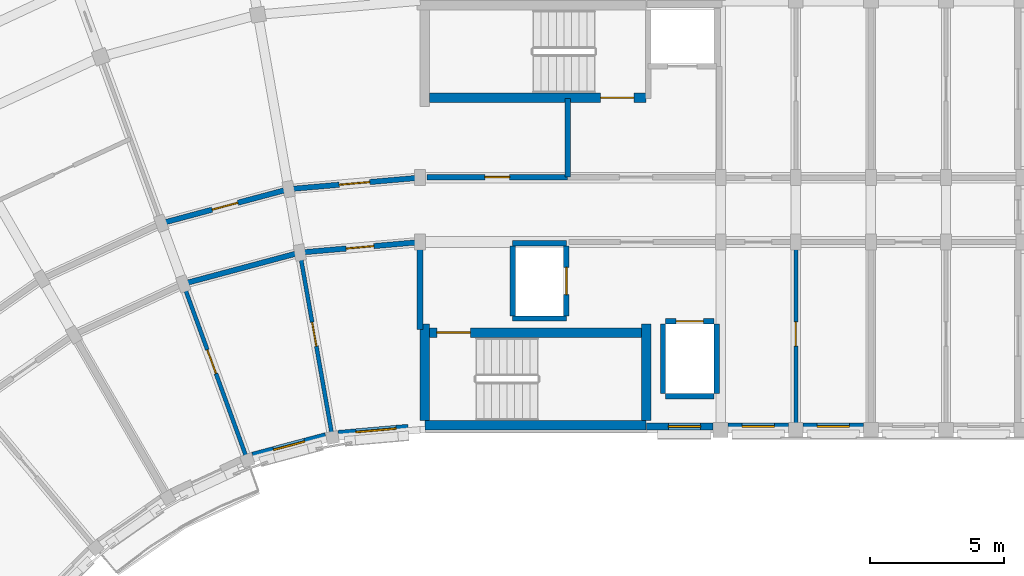
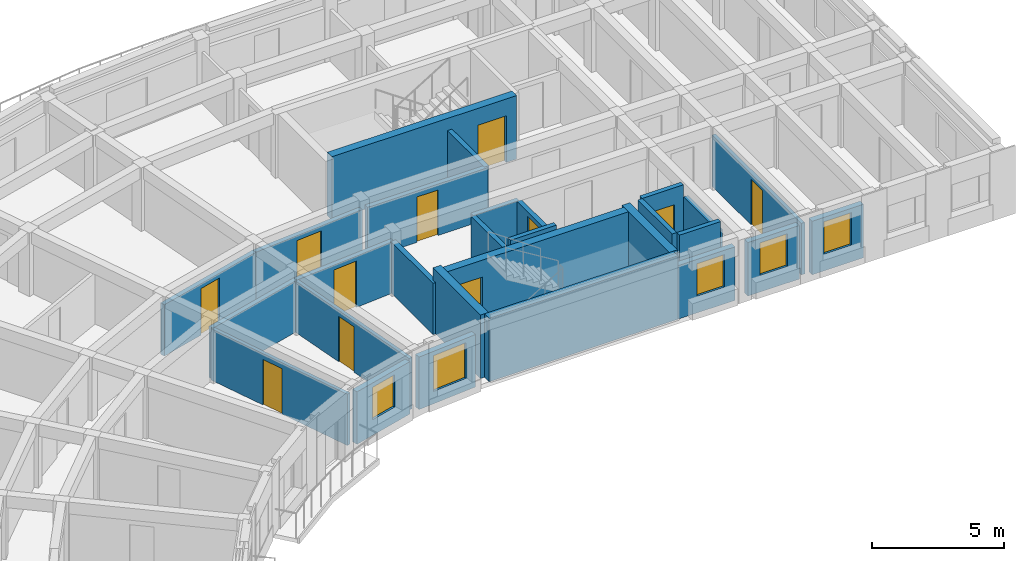
# One storey, part 13 of 23: 28 walls, 11 doors, 5 windows, 16 openings.
"""IFC4 building model written with IfcOpenShell, lengths in metres."""

import ifcopenshell
import ifcopenshell.guid

model = None  # the IFC model being written
_history = None  # IfcOwnerHistory: only IFC2X3 demands one
_inside = {}  # id of a spatial element -> (the spatial element, [elements in it])
_under = {}  # id of a project, library or spatial element -> (it, [spatial elements below it])
_declared = {}  # id of a project -> (the project, [libraries it declares])
_typed = {}  # id of a type object -> (the type object, [elements of that type])
_made_of = {}  # id of a material, layer set ... -> (it, [elements and type objects made of it])


def new_model(schema):
    """Start an empty IFC model of exactly this schema.

    Asked for "IFC4X3", IfcOpenShell would pick the latest addendum, in which some entities
    have other attributes; the version numbers below select the first issue.
    IFC2X3 requires an IfcOwnerHistory on every rooted entity: one is made here for all.
    """
    global model, _history
    if schema == "IFC4X3":
        model = ifcopenshell.file(schema_version=(4, 3, 0, 0))
    else:
        model = ifcopenshell.file(schema=schema)
    _inside.clear()
    _under.clear()
    _declared.clear()
    _typed.clear()
    _made_of.clear()
    _history = None
    if model.schema == "IFC2X3":
        org = make("IfcOrganization", Name="unknown")
        user = make(
            "IfcPersonAndOrganization",
            ThePerson=make("IfcPerson", FamilyName="unknown"),
            TheOrganization=org,
        )
        app = make(
            "IfcApplication",
            ApplicationDeveloper=org,
            Version="unknown",
            ApplicationFullName="unknown",
            ApplicationIdentifier="unknown",
        )
        _history = make(
            "IfcOwnerHistory",
            OwningUser=user,
            OwningApplication=app,
            ChangeAction="ADDED",
            CreationDate=0,
        )
    return model


def make(cls, **values):
    """One entity of the class cls with the attributes given. An attribute that is None is left unset."""
    return model.create_entity(
        cls, **{name: value for name, value in values.items() if value is not None}
    )


def rooted(cls, **values):
    """An entity with a GlobalId (a new one), such as an element, a storey or a relation."""
    return make(cls, GlobalId=ifcopenshell.guid.new(), OwnerHistory=_history, **values)


def si_unit(unit_type, name, prefix=None):
    """IfcSIUnit, for example si_unit("LENGTHUNIT", "METRE", prefix="MILLI")."""
    return make("IfcSIUnit", UnitType=unit_type, Prefix=prefix, Name=name)


def assignment(units):
    """IfcUnitAssignment: the units of a project."""
    return None if units is None else make("IfcUnitAssignment", Units=units)


def point(xyz):
    """IfcCartesianPoint."""
    return None if xyz is None else make("IfcCartesianPoint", Coordinates=xyz)


def direction(xyz):
    """IfcDirection."""
    return None if xyz is None else make("IfcDirection", DirectionRatios=xyz)


def frame(location, z_axis=None, x_axis=None):
    """IfcAxis2Placement3D, a coordinate frame: its origin and axes. An axis left out is left unset."""
    return make(
        "IfcAxis2Placement3D",
        Location=point(location),
        Axis=direction(z_axis),
        RefDirection=direction(x_axis),
    )


def frame_2d(location, x_axis=None):
    """IfcAxis2Placement2D, a coordinate frame in the plane: its origin and x axis."""
    return make(
        "IfcAxis2Placement2D", Location=point(location), RefDirection=direction(x_axis)
    )


def origin():
    """The frame at (0, 0, 0) with its axes left unset."""
    return frame((0.0, 0.0, 0.0))


def place(relative_to, where):
    """IfcLocalPlacement: puts the frame where relative to a parent placement (None: the world)."""
    return make(
        "IfcLocalPlacement", PlacementRelTo=relative_to, RelativePlacement=where
    )


def context(
    kind, dimensions, precision=None, world=None, true_north=None, identifier=None
):
    """IfcGeometricRepresentationContext, for example the 3D "Model" context."""
    return make(
        "IfcGeometricRepresentationContext",
        ContextIdentifier=identifier,
        ContextType=kind,
        CoordinateSpaceDimension=dimensions,
        Precision=precision,
        WorldCoordinateSystem=world,
        TrueNorth=true_north,
    )


def subcontext(parent, identifier, kind, view, scale=None):
    """IfcGeometricRepresentationSubContext, for example "Body" below "Model"."""
    return make(
        "IfcGeometricRepresentationSubContext",
        ContextIdentifier=identifier,
        ContextType=kind,
        ParentContext=parent,
        TargetScale=scale,
        TargetView=view,
    )


def project(units=None, contexts=None):
    """IfcProject with its units and contexts."""
    return rooted(
        "IfcProject",
        Name="project",
        RepresentationContexts=contexts,
        UnitsInContext=assignment(units),
    )


def spatial(cls, under=None, at=None, **own):
    """A site, building, storey or space (cls), placed at a placement, below another one or the project."""
    s = rooted(cls, ObjectPlacement=at, **own)
    if under is not None:
        _under.setdefault(under.id(), (under, []))[1].append(s)
    return s


def profile(cls, at=None, kind="AREA", **sizes):
    """A parametric profile (cls). Its sizes go by their IFC names, for example OverallWidth=200.0."""
    return make(cls, ProfileType=kind, Position=at, **sizes)


def rectangle(**sizes):
    """IfcRectangleProfileDef."""
    return profile("IfcRectangleProfileDef", **sizes)


def extrude(swept, where, along, depth):
    """IfcExtrudedAreaSolid: the profile swept, set in the frame where, extruded along a direction by depth."""
    return make(
        "IfcExtrudedAreaSolid",
        SweptArea=swept,
        Position=where,
        ExtrudedDirection=direction(along),
        Depth=depth,
    )


def shape(context_of_items, identifier, shape_type, items):
    """IfcShapeRepresentation: the items that make up one representation, for example the "Body"."""
    return make(
        "IfcShapeRepresentation",
        ContextOfItems=context_of_items,
        RepresentationIdentifier=identifier,
        RepresentationType=shape_type,
        Items=items,
    )


def material(Name=None, Category=None):
    """IfcMaterial."""
    return make("IfcMaterial", Name=Name, Category=Category)


def layer(
    of_material, thickness, ventilated=None, Name=None, Category=None, Priority=None
):
    """IfcMaterialLayer: one layer of a wall or slab, of a material (None: an air gap)."""
    return make(
        "IfcMaterialLayer",
        Material=of_material,
        LayerThickness=thickness,
        IsVentilated=ventilated,
        Name=Name,
        Category=Category,
        Priority=Priority,
    )


def layer_set(layers, Name=None):
    """IfcMaterialLayerSet."""
    return make("IfcMaterialLayerSet", MaterialLayers=layers, LayerSetName=Name)


def made_of(thing, what):
    """Note that an element or type object is made of a material, layer set ...; save() writes the relation."""
    if what is not None:
        _made_of.setdefault(what.id(), (what, []))[1].append(thing)
    return thing


def type_object(cls, material=None, **own):
    """A type object (cls), such as IfcWallType, which elements share."""
    return made_of(rooted(cls, **own), material)


def element(
    cls,
    number,
    at=None,
    inside=None,
    cuts=None,
    type_object=None,
    material=None,
    context=None,
    identifier="Body",
    shape_type=None,
    held_by="IfcProductDefinitionShape",
    body=None,
    shapes=None,
    **own,
):
    """One element of the class cls, such as IfcWall. Its Tag is "e" and its number.

    at: its placement. inside: the storey or other place that contains it. cuts: it is an
    opening in that element (IfcRelVoidsElement). A single representation is given by context,
    identifier, shape_type and body (its items); several are given by shapes. held_by: the class
    of the entity that holds the representations. save() writes the other relations.
    """
    e = rooted(cls, Tag="e%d" % number, ObjectPlacement=at, **own)
    if body is not None:
        shapes = [shape(context, identifier, shape_type, body)]
    if shapes is not None:
        e.Representation = make(held_by, Representations=shapes)
    if inside is not None:
        _inside.setdefault(inside.id(), (inside, []))[1].append(e)
    if cuts is not None:
        rooted(
            "IfcRelVoidsElement", RelatingBuildingElement=cuts, RelatedOpeningElement=e
        )
    if type_object is not None:
        _typed.setdefault(type_object.id(), (type_object, []))[1].append(e)
    return made_of(e, material)


def fill(opening, filler):
    """IfcRelFillsElement: the door or window that sits in an opening."""
    return rooted(
        "IfcRelFillsElement",
        RelatingOpeningElement=opening,
        RelatedBuildingElement=filler,
    )


def aggregate(whole, parts):
    """IfcRelAggregates: a whole, such as a stair, and the parts it consists of."""
    return rooted("IfcRelAggregates", RelatingObject=whole, RelatedObjects=parts)


def save(model, path):
    """Write the relations noted so far, then the file.

    IfcRelAggregates (storeys below a building ...), IfcRelContainedInSpatialStructure (elements
    in a storey), IfcRelDefinesByType, IfcRelAssociatesMaterial and IfcRelDeclares: one each for
    every whole, place, type object, material and project.
    """
    for whole, parts in _under.values():
        aggregate(whole, parts)
    for where, things in _inside.values():
        rooted(
            "IfcRelContainedInSpatialStructure",
            RelatedElements=things,
            RelatingStructure=where,
        )
    for kind, things in _typed.values():
        rooted("IfcRelDefinesByType", RelatedObjects=things, RelatingType=kind)
    for what, things in _made_of.values():
        rooted("IfcRelAssociatesMaterial", RelatedObjects=things, RelatingMaterial=what)
    for by, libraries in _declared.values():
        rooted("IfcRelDeclares", RelatingContext=by, RelatedDefinitions=libraries)
    model.write(path)


model = new_model("IFC4")

# Units and contexts
model_context = context("Model", 3, precision=1e-05, world=origin(), true_north=direction((0.0, 1.0)))
body_context = subcontext(model_context, "Body", "Model", "MODEL_VIEW")
ifc_project = project(units=[si_unit("LENGTHUNIT", "METRE"), si_unit("AREAUNIT", "SQUARE_METRE"), si_unit("VOLUMEUNIT", "CUBIC_METRE"), si_unit("PLANEANGLEUNIT", "RADIAN"), si_unit("MASSUNIT", "GRAM", prefix="KILO")], contexts=[model_context])

# Site, building, storey
site_placement = place(None, origin())
site = spatial("IfcSite", under=ifc_project, at=site_placement, CompositionType="ELEMENT")
building_placement = place(site_placement, origin())
building = spatial("IfcBuilding", under=site, at=building_placement, Name="Kiranvali Square Residences", CompositionType="ELEMENT")
storey_placement = place(building_placement, frame((0.0, 0.0, 43.35009765625)))
storey = spatial("IfcBuildingStorey", under=building, at=storey_placement, Name="L13", CompositionType="ELEMENT", Elevation=43.35009765625)

# Wall, opening, door
ifc_material_1 = material(Name="Autoclaved aerated concrete blockwork masonry", Category="masonry")
ifc_layer_1 = layer(ifc_material_1, 0.199951171875)
ifc_layer_set_1 = layer_set([ifc_layer_1], Name="Autoclaved aerated concrete blockwork masonry")
wall_type_1 = type_object("IfcWallType", Name="WL-COR-200", PredefinedType="STANDARD", material=ifc_layer_set_1)
wall_1_placement = place(storey_placement, frame((48.199951171875, 113.60009765625, 0.0), z_axis=(0.0, 0.0, 1.0), x_axis=(-0.996191949488, -0.087187153726, 0.0)))
wall_1 = element("IfcWall", 1, at=wall_1_placement, inside=storey, type_object=wall_type_1, Name="L13 architectural wall WL-L13-A-CCI-0", PredefinedType="STANDARD", context=body_context, shape_type="SweptSolid", body=[
    extrude(rectangle(XDim=4.4970703125, YDim=0.199951171875, at=frame_2d((2.24853515625, 0.0))), origin(), (0.0, 0.0, 1.0), 2.371826171875),
])
opening_1_placement = place(wall_1_placement, frame((1.728515625, 0.0, 0.0)))
opening_1 = element("IfcOpeningElement", 2, at=opening_1_placement, cuts=wall_1, Name="Opening FD-APT-60B", PredefinedType="OPENING", context=body_context, shape_type="SweptSolid", body=[
    extrude(rectangle(XDim=1.0400390625, YDim=2.14990234375, at=frame_2d((0.52001953125, 1.074951171875))), frame((0.0, 0.10986328125, 0.0), z_axis=(0.0, -1.0, 0.0), x_axis=(1.0, 0.0, 0.0)), (0.0, 0.0, 1.0), 0.219970703125),
])
ifc_material_2 = material(Name="Fire-rated acoustic hardwood and mineral-core door assembly", Category="wood")
door_type_1 = type_object("IfcDoorType", Name="DR-APT-1040", OperationType="NOTDEFINED", PredefinedType="DOOR", material=ifc_material_2)
door_1_placement = place(opening_1_placement, frame((1.0400390625, 0.0, 0.0), z_axis=(0.0, 0.0, 1.0), x_axis=(-1.0, 0.0, 0.0)))
door_1 = element("IfcDoor", 3, at=door_1_placement, inside=storey, type_object=door_type_1, Name="L13 door DR-L13-0838 (DR-APT-1040)", OperationType="SINGLE_SWING_RIGHT", OverallHeight=2.14990234375, OverallWidth=1.0400390625, PredefinedType="DOOR", context=body_context, shape_type="SweptSolid", body=[
    extrude(rectangle(XDim=1.0400390625, YDim=2.14990234375, at=frame_2d((0.52001953125, 1.074951171875))), frame((0.0, 0.02490234375, 0.0), z_axis=(0.0, -1.0, 0.0), x_axis=(1.0, 0.0, 0.0)), (0.0, 0.0, 1.0), 0.050048828125),
])
fill(opening_1, door_1)

wall_2_placement = place(storey_placement, frame((48.199951171875, 116.0, 0.0), z_axis=(0.0, 0.0, 1.0), x_axis=(-0.996193663584, -0.087167566415, 0.0)))
wall_2 = element("IfcWall", 4, at=wall_2_placement, inside=storey, type_object=wall_type_1, Name="L13 architectural wall WL-L13-A-CCO-0", PredefinedType="STANDARD", context=body_context, shape_type="SweptSolid", body=[
    extrude(rectangle(XDim=4.91552734375, YDim=0.199951171875, at=frame_2d((2.457763671875, 0.0))), origin(), (0.0, 0.0, 1.0), 2.371826171875),
])
opening_2_placement = place(wall_2_placement, frame((1.8876953125, 0.0, 0.0)))
opening_2 = element("IfcOpeningElement", 5, at=opening_2_placement, cuts=wall_2, Name="Opening FD-APT-60D", PredefinedType="OPENING", context=body_context, shape_type="SweptSolid", body=[
    extrude(rectangle(XDim=1.139892578125, YDim=2.14990234375, at=frame_2d((0.56982421875, 1.074951171875))), frame((0.0, 0.10986328125, 0.0), z_axis=(0.0, -1.0, 0.0), x_axis=(1.0, 0.0, 0.0)), (0.0, 0.0, 1.0), 0.219970703125),
])
door_type_2 = type_object("IfcDoorType", Name="DR-APT-1140", OperationType="NOTDEFINED", PredefinedType="DOOR", material=ifc_material_2)
door_2_placement = place(opening_2_placement, frame((1.139892578125, 0.0, 0.0), z_axis=(0.0, 0.0, 1.0), x_axis=(-1.0, 0.0, 0.0)))
door_2 = element("IfcDoor", 6, at=door_2_placement, inside=storey, type_object=door_type_2, Name="L13 door DR-L13-0830 (DR-APT-1140)", OperationType="SINGLE_SWING_RIGHT", OverallHeight=2.14990234375, OverallWidth=1.139892578125, PredefinedType="DOOR", context=body_context, shape_type="SweptSolid", body=[
    extrude(rectangle(XDim=1.139892578125, YDim=2.14990234375, at=frame_2d((0.56982421875, 1.074951171875))), frame((0.0, 0.02490234375, 0.0), z_axis=(0.0, -1.0, 0.0), x_axis=(1.0, 0.0, 0.0)), (0.0, 0.0, 1.0), 0.050048828125),
])
fill(opening_2, door_2)

# Wall
wall_3_placement = place(storey_placement, frame((43.719970703125, 113.2080078125, 0.0), z_axis=(0.0, 0.0, 1.0), x_axis=(-0.965934240054, -0.258787642463, 0.0)))
element("IfcWall", 7, at=wall_3_placement, inside=storey, type_object=wall_type_1, Name="L13 architectural wall WL-L13-A-CCI-1", PredefinedType="STANDARD", context=body_context, shape_type="SweptSolid", body=[
    extrude(rectangle(XDim=4.497314453125, YDim=0.199951171875, at=frame_2d((2.24853515625, 0.0))), origin(), (0.0, 0.0, 1.0), 2.371826171875),
])

# Wall, opening, door
wall_4_placement = place(storey_placement, frame((43.30322265625, 115.571533203125, 0.0), z_axis=(0.0, 0.0, 1.0), x_axis=(-0.965930095386, -0.258803112091, 0.0)))
wall_4 = element("IfcWall", 8, at=wall_4_placement, inside=storey, type_object=wall_type_1, Name="L13 architectural wall WL-L13-A-CCO-1", PredefinedType="STANDARD", context=body_context, shape_type="SweptSolid", body=[
    extrude(rectangle(XDim=4.915771484375, YDim=0.199951171875, at=frame_2d((2.4580078125, 0.0))), origin(), (0.0, 0.0, 1.0), 2.371826171875),
])
opening_3_placement = place(wall_4_placement, frame((1.957763671875, 0.0, 0.0)))
opening_3 = element("IfcOpeningElement", 9, at=opening_3_placement, cuts=wall_4, Name="Opening FD-APT-60", PredefinedType="OPENING", context=body_context, shape_type="SweptSolid", body=[
    extrude(rectangle(XDim=1.0, YDim=2.14990234375, at=frame_2d((0.5, 1.074951171875))), frame((0.0, 0.10986328125, 0.0), z_axis=(0.0, -1.0, 0.0), x_axis=(1.0, 0.0, 0.0)), (0.0, 0.0, 1.0), 0.219970703125),
])
door_type_3 = type_object("IfcDoorType", Name="DR-APT-1000", OperationType="NOTDEFINED", PredefinedType="DOOR", material=ifc_material_2)
door_3_placement = place(opening_3_placement, origin())
door_3 = element("IfcDoor", 10, at=door_3_placement, inside=storey, type_object=door_type_3, Name="L13 door DR-L13-0831 (DR-APT-1000)", OperationType="SINGLE_SWING_LEFT", OverallHeight=2.14990234375, OverallWidth=1.0, PredefinedType="DOOR", context=body_context, shape_type="SweptSolid", body=[
    extrude(rectangle(XDim=1.0, YDim=2.14990234375, at=frame_2d((0.5, 1.074951171875))), frame((0.0, 0.02490234375, 0.0), z_axis=(0.0, -1.0, 0.0), x_axis=(1.0, 0.0, 0.0)), (0.0, 0.0, 1.0), 0.050048828125),
])
fill(opening_3, door_3)

# Wall
ifc_layer_2 = layer(ifc_material_1, 0.219970703125)
ifc_layer_set_2 = layer_set([ifc_layer_2], Name="Autoclaved aerated concrete blockwork masonry")
wall_type_2 = type_object("IfcWallType", Name="WL-DEM-220", PredefinedType="STANDARD", material=ifc_layer_set_2)
wall_5_placement = place(storey_placement, frame((48.199951171875, 110.35009765625, 0.0), z_axis=(0.0, 0.0, 1.0), x_axis=(0.0, 1.0, 0.0)))
element("IfcWall", 11, at=wall_5_placement, inside=storey, type_object=wall_type_2, Name="L13 architectural wall WL-L13-A-RADI-0", PredefinedType="STANDARD", context=body_context, shape_type="SweptSolid", body=[
    extrude(rectangle(XDim=3.199951171875, YDim=0.219970703125, at=frame_2d((1.60009765625, 0.0))), origin(), (0.0, 0.0, 1.0), 2.371826171875),
])

# Wall, opening, window
ifc_material_3 = material(Name="Breathable lime-rendered clay brick masonry", Category="masonry")
ifc_layer_3 = layer(ifc_material_3, 0.25)
ifc_layer_set_3 = layer_set([ifc_layer_3], Name="Breathable lime-rendered clay brick masonry")
wall_type_3 = type_object("IfcWallType", Name="WL-EXT-250", PredefinedType="STANDARD", material=ifc_layer_set_3)
wall_6_placement = place(storey_placement, frame((47.750732421875, 106.686279296875, 0.0), z_axis=(0.0, 0.0, 1.0), x_axis=(-0.996188433092, -0.087227322402, 0.0)))
wall_6 = element("IfcWall", 12, at=wall_6_placement, inside=storey, type_object=wall_type_3, Name="L13 exterior wall A-L13-GDN-00", PredefinedType="STANDARD", context=body_context, shape_type="SweptSolid", body=[
    extrude(rectangle(XDim=2.608642578125, YDim=0.25, at=frame_2d((1.30419921875, 0.0))), origin(), (0.0, 0.0, 1.0), 2.421875),
])
opening_4_placement = place(wall_6_placement, frame((0.448486328125, 0.0, 0.572021484375)))
opening_4 = element("IfcOpeningElement", 13, at=opening_4_placement, cuts=wall_6, Name="Opening W-05", PredefinedType="OPENING", context=body_context, shape_type="SweptSolid", body=[
    extrude(rectangle(XDim=1.5, YDim=1.64990234375, at=frame_2d((0.75, 0.824951171875))), frame((0.0, 0.135009765625, 0.0), z_axis=(0.0, -1.0, 0.0), x_axis=(1.0, 0.0, 0.0)), (0.0, 0.0, 1.0), 0.27001953125),
])
ifc_material_4 = material(Name="Solar-control low-e double glazing", Category="glass")
window_type_1 = type_object("IfcWindowType", Name="WIN-RES-1500x1650", PartitioningType="DOUBLE_PANEL_VERTICAL", PredefinedType="WINDOW", material=ifc_material_4)
window_1_placement = place(opening_4_placement, origin())
window_1 = element("IfcWindow", 14, at=window_1_placement, inside=storey, type_object=window_type_1, Name="L13 recessed window A-L13-GDN-00", OverallHeight=1.64990234375, OverallWidth=1.5, PartitioningType="DOUBLE_PANEL_VERTICAL", PredefinedType="WINDOW", context=body_context, shape_type="SweptSolid", body=[
    extrude(rectangle(XDim=1.5, YDim=1.64990234375, at=frame_2d((0.75, 0.824951171875))), frame((0.0, 0.030029296875, 0.0), z_axis=(0.0, -1.0, 0.0), x_axis=(1.0, 0.0, 0.0)), (0.0, 0.0, 1.0), 0.06005859375),
])
fill(opening_4, window_1)

wall_7_placement = place(storey_placement, frame((44.682373046875, 106.3759765625, 0.0), z_axis=(0.0, 0.0, 1.0), x_axis=(-0.965921001908, -0.258837049266, 0.0)))
wall_7 = element("IfcWall", 15, at=wall_7_placement, inside=storey, type_object=wall_type_3, Name="L13 exterior wall A-L13-GDN-01", PredefinedType="STANDARD", context=body_context, shape_type="SweptSolid", body=[
    extrude(rectangle(XDim=2.8203125, YDim=0.25, at=frame_2d((1.41015625, 0.0))), origin(), (0.0, 0.0, 1.0), 2.421875),
])
opening_5_placement = place(wall_7_placement, frame((0.81005859375, 0.0, 0.721923828125)))
opening_5 = element("IfcOpeningElement", 16, at=opening_5_placement, cuts=wall_7, Name="Opening W-06", PredefinedType="OPENING", context=body_context, shape_type="SweptSolid", body=[
    extrude(rectangle(XDim=1.199951171875, YDim=1.5, at=frame_2d((0.60009765625, 0.75))), frame((0.0, 0.135009765625, 0.0), z_axis=(0.0, -1.0, 0.0), x_axis=(1.0, 0.0, 0.0)), (0.0, 0.0, 1.0), 0.27001953125),
])
window_type_2 = type_object("IfcWindowType", Name="WIN-RES-1200x1500", PartitioningType="SINGLE_PANEL", PredefinedType="WINDOW", material=ifc_material_4)
window_2_placement = place(opening_5_placement, origin())
window_2 = element("IfcWindow", 17, at=window_2_placement, inside=storey, type_object=window_type_2, Name="L13 recessed window A-L13-GDN-01", OverallHeight=1.5, OverallWidth=1.199951171875, PartitioningType="SINGLE_PANEL", PredefinedType="WINDOW", context=body_context, shape_type="SweptSolid", body=[
    extrude(rectangle(XDim=1.199951171875, YDim=1.5, at=frame_2d((0.60009765625, 0.75))), frame((0.0, 0.030029296875, 0.0), z_axis=(0.0, -1.0, 0.0), x_axis=(1.0, 0.0, 0.0)), (0.0, 0.0, 1.0), 0.06005859375),
])
fill(opening_5, window_2)

wall_8_placement = place(storey_placement, frame((56.62841796875, 106.72509765625, 0.0), z_axis=(0.0, 0.0, 1.0), x_axis=(1.0, 0.0, 0.0)))
wall_8 = element("IfcWall", 18, at=wall_8_placement, inside=storey, type_object=wall_type_3, Name="L13 exterior wall A-L13-A1IN-0", PredefinedType="STANDARD", context=body_context, shape_type="SweptSolid", body=[
    extrude(rectangle(XDim=2.4931640625, YDim=0.25, at=frame_2d((1.24658203125, 0.0))), origin(), (0.0, 0.0, 1.0), 2.471923828125),
])
opening_6_placement = place(wall_8_placement, frame((0.821533203125, 0.0, 0.77197265625)))
opening_6 = element("IfcOpeningElement", 19, at=opening_6_placement, cuts=wall_8, Name="Opening W-06", PredefinedType="OPENING", context=body_context, shape_type="SweptSolid", body=[
    extrude(rectangle(XDim=1.199951171875, YDim=1.5, at=frame_2d((0.60009765625, 0.75))), frame((0.0, 0.135009765625, 0.0), z_axis=(0.0, -1.0, 0.0), x_axis=(1.0, 0.0, 0.0)), (0.0, 0.0, 1.0), 0.27001953125),
])
window_3_placement = place(opening_6_placement, origin())
window_3 = element("IfcWindow", 20, at=window_3_placement, inside=storey, type_object=window_type_2, Name="L13 recessed window A-L13-A1IN-0", OverallHeight=1.5, OverallWidth=1.199951171875, PartitioningType="SINGLE_PANEL", PredefinedType="WINDOW", context=body_context, shape_type="SweptSolid", body=[
    extrude(rectangle(XDim=1.199951171875, YDim=1.5, at=frame_2d((0.60009765625, 0.75))), frame((0.0, 0.030029296875, 0.0), z_axis=(0.0, -1.0, 0.0), x_axis=(1.0, 0.0, 0.0)), (0.0, 0.0, 1.0), 0.06005859375),
])
fill(opening_6, window_3)

wall_9_placement = place(storey_placement, frame((59.678466796875, 106.72509765625, 0.0), z_axis=(0.0, 0.0, 1.0), x_axis=(1.0, 0.0, 0.0)))
wall_9 = element("IfcWall", 21, at=wall_9_placement, inside=storey, type_object=wall_type_3, Name="L13 exterior wall A-L13-A1I-0", PredefinedType="STANDARD", context=body_context, shape_type="SweptSolid", body=[
    extrude(rectangle(XDim=2.242919921875, YDim=0.25, at=frame_2d((1.12158203125, 0.0))), origin(), (0.0, 0.0, 1.0), 2.471923828125),
])
opening_7_placement = place(wall_9_placement, frame((0.521484375, 0.0, 0.77197265625)))
opening_7 = element("IfcOpeningElement", 22, at=opening_7_placement, cuts=wall_9, Name="Opening W-06", PredefinedType="OPENING", context=body_context, shape_type="SweptSolid", body=[
    extrude(rectangle(XDim=1.199951171875, YDim=1.5, at=frame_2d((0.60009765625, 0.75))), frame((0.0, 0.135009765625, 0.0), z_axis=(0.0, -1.0, 0.0), x_axis=(1.0, 0.0, 0.0)), (0.0, 0.0, 1.0), 0.27001953125),
])
window_4_placement = place(opening_7_placement, origin())
window_4 = element("IfcWindow", 23, at=window_4_placement, inside=storey, type_object=window_type_2, Name="L13 recessed window A-L13-A1I-0", OverallHeight=1.5, OverallWidth=1.199951171875, PartitioningType="SINGLE_PANEL", PredefinedType="WINDOW", context=body_context, shape_type="SweptSolid", body=[
    extrude(rectangle(XDim=1.199951171875, YDim=1.5, at=frame_2d((0.60009765625, 0.75))), frame((0.0, 0.030029296875, 0.0), z_axis=(0.0, -1.0, 0.0), x_axis=(1.0, 0.0, 0.0)), (0.0, 0.0, 1.0), 0.06005859375),
])
fill(opening_7, window_4)

wall_10_placement = place(storey_placement, frame((62.478515625, 106.72509765625, 0.0), z_axis=(0.0, 0.0, 1.0), x_axis=(1.0, 0.0, 0.0)))
wall_10 = element("IfcWall", 24, at=wall_10_placement, inside=storey, type_object=wall_type_3, Name="L13 exterior wall A-L13-A1I-1", PredefinedType="STANDARD", context=body_context, shape_type="SweptSolid", body=[
    extrude(rectangle(XDim=2.242919921875, YDim=0.25, at=frame_2d((1.12158203125, 0.0))), origin(), (0.0, 0.0, 1.0), 2.471923828125),
])
opening_8_placement = place(wall_10_placement, frame((0.521484375, 0.0, 0.77197265625)))
opening_8 = element("IfcOpeningElement", 25, at=opening_8_placement, cuts=wall_10, Name="Opening W-06", PredefinedType="OPENING", context=body_context, shape_type="SweptSolid", body=[
    extrude(rectangle(XDim=1.199951171875, YDim=1.5, at=frame_2d((0.60009765625, 0.75))), frame((0.0, 0.135009765625, 0.0), z_axis=(0.0, -1.0, 0.0), x_axis=(1.0, 0.0, 0.0)), (0.0, 0.0, 1.0), 0.27001953125),
])
window_5_placement = place(opening_8_placement, origin())
window_5 = element("IfcWindow", 26, at=window_5_placement, inside=storey, type_object=window_type_2, Name="L13 recessed window A-L13-A1I-1", OverallHeight=1.5, OverallWidth=1.199951171875, PartitioningType="SINGLE_PANEL", PredefinedType="WINDOW", context=body_context, shape_type="SweptSolid", body=[
    extrude(rectangle(XDim=1.199951171875, YDim=1.5, at=frame_2d((0.60009765625, 0.75))), frame((0.0, 0.030029296875, 0.0), z_axis=(0.0, -1.0, 0.0), x_axis=(1.0, 0.0, 0.0)), (0.0, 0.0, 1.0), 0.06005859375),
])
fill(opening_8, window_5)

# Wall
ifc_layer_4 = layer(ifc_material_1, 0.199951171875)
ifc_layer_set_4 = layer_set([ifc_layer_4], Name="Autoclaved aerated concrete blockwork masonry")
wall_type_4 = type_object("IfcWallType", Name="WL-FFL-200", PredefinedType="STANDARD", material=ifc_layer_set_4)
wall_11_placement = place(storey_placement, frame((53.699951171875, 116.02001953125, 0.0), z_axis=(0.0, 0.0, 1.0), x_axis=(0.0, 1.0, 0.0)))
element("IfcWall", 27, at=wall_11_placement, inside=storey, type_object=wall_type_4, Name="L13 architectural wall WL-L13-A-FF-DIV", PredefinedType="STANDARD", context=body_context, shape_type="SweptSolid", body=[
    extrude(rectangle(XDim=2.929931640625, YDim=0.199951171875, at=frame_2d((1.46484375, 0.0))), origin(), (0.0, 0.0, 1.0), 2.371826171875),
])

# Wall, opening, door
ifc_material_5 = material(Name="Acoustic gypsum board drylined partition", Category="gypsum")
ifc_layer_5 = layer(ifc_material_5, 0.14990234375)
ifc_layer_set_5 = layer_set([ifc_layer_5], Name="Acoustic gypsum board drylined partition")
wall_type_5 = type_object("IfcWallType", Name="WL-PRT-150", PredefinedType="PARTITIONING", material=ifc_layer_set_5)
wall_12_placement = place(storey_placement, frame((62.199951171875, 106.800048828125, 0.0), z_axis=(0.0, 0.0, 1.0), x_axis=(0.0, 1.0, 0.0)))
wall_12 = element("IfcWall", 28, at=wall_12_placement, inside=storey, type_object=wall_type_5, Name="L13 architectural wall WL-L13-A-A1TI-1", PredefinedType="PARTITIONING", context=body_context, shape_type="SweptSolid", body=[
    extrude(rectangle(XDim=6.75, YDim=0.14990234375, at=frame_2d((3.375, 0.0))), origin(), (0.0, 0.0, 1.0), 2.371826171875),
])
opening_9_placement = place(wall_12_placement, frame((2.925048828125, 0.0, 0.0)))
opening_9 = element("IfcOpeningElement", 29, at=opening_9_placement, cuts=wall_12, Name="Opening ID-1", PredefinedType="OPENING", context=body_context, shape_type="SweptSolid", body=[
    extrude(rectangle(XDim=0.89990234375, YDim=2.10009765625, at=frame_2d((0.449951171875, 1.050048828125))), frame((0.0, 0.0849609375, 0.0), z_axis=(0.0, -1.0, 0.0), x_axis=(1.0, 0.0, 0.0)), (0.0, 0.0, 1.0), 0.169921875),
])
ifc_material_6 = material(Name="Solid seasoned teak hardwood joinery", Category="wood")
door_type_4 = type_object("IfcDoorType", Name="DR-INT-900", OperationType="NOTDEFINED", PredefinedType="DOOR", material=ifc_material_6)
door_4_placement = place(opening_9_placement, origin())
door_4 = element("IfcDoor", 30, at=door_4_placement, inside=storey, type_object=door_type_4, Name="L13 door DR-L13-0813 (DR-INT-900)", OperationType="SINGLE_SWING_LEFT", OverallHeight=2.10009765625, OverallWidth=0.89990234375, PredefinedType="DOOR", context=body_context, shape_type="SweptSolid", body=[
    extrude(rectangle(XDim=0.89990234375, YDim=2.10009765625, at=frame_2d((0.449951171875, 1.050048828125))), frame((0.0, 0.02490234375, 0.0), z_axis=(0.0, -1.0, 0.0), x_axis=(1.0, 0.0, 0.0)), (0.0, 0.0, 1.0), 0.050048828125),
])
fill(opening_9, door_4)

wall_13_placement = place(storey_placement, frame((44.900634765625, 106.51123046875, 0.0), z_axis=(0.0, 0.0, 1.0), x_axis=(-0.173647089161, 0.984807944945, 0.0)))
wall_13 = element("IfcWall", 31, at=wall_13_placement, inside=storey, type_object=wall_type_5, Name="L13 architectural wall WL-L13-A-RADI-1", PredefinedType="PARTITIONING", context=body_context, shape_type="SweptSolid", body=[
    extrude(rectangle(XDim=6.75, YDim=0.14990234375, at=frame_2d((3.375, 0.0))), origin(), (0.0, 0.0, 1.0), 2.371826171875),
])
opening_10_placement = place(wall_13_placement, frame((3.262451171875, 0.0, 0.0)))
opening_10 = element("IfcOpeningElement", 32, at=opening_10_placement, cuts=wall_13, Name="Opening ID-1", PredefinedType="OPENING", context=body_context, shape_type="SweptSolid", body=[
    extrude(rectangle(XDim=0.89990234375, YDim=2.10009765625, at=frame_2d((0.449951171875, 1.050048828125))), frame((0.0, 0.0849609375, 0.0), z_axis=(0.0, -1.0, 0.0), x_axis=(1.0, 0.0, 0.0)), (0.0, 0.0, 1.0), 0.169921875),
])
door_5_placement = place(opening_10_placement, frame((0.89990234375, 0.0, 0.0), z_axis=(0.0, 0.0, 1.0), x_axis=(-1.0, 0.0, 0.0)))
door_5 = element("IfcDoor", 33, at=door_5_placement, inside=storey, type_object=door_type_4, Name="L13 door DR-L13-0820 (DR-INT-900)", OperationType="SINGLE_SWING_RIGHT", OverallHeight=2.10009765625, OverallWidth=0.89990234375, PredefinedType="DOOR", context=body_context, shape_type="SweptSolid", body=[
    extrude(rectangle(XDim=0.89990234375, YDim=2.10009765625, at=frame_2d((0.449951171875, 1.050048828125))), frame((0.0, 0.02490234375, 0.0), z_axis=(0.0, -1.0, 0.0), x_axis=(1.0, 0.0, 0.0)), (0.0, 0.0, 1.0), 0.050048828125),
])
fill(opening_10, door_5)

wall_14_placement = place(storey_placement, frame((41.70166015625, 105.654052734375, 0.0), z_axis=(0.0, 0.0, 1.0), x_axis=(-0.342010221662, 0.939696231917, 0.0)))
wall_14 = element("IfcWall", 34, at=wall_14_placement, inside=storey, type_object=wall_type_5, Name="L13 architectural wall WL-L13-A-RADI-2", PredefinedType="PARTITIONING", context=body_context, shape_type="SweptSolid", body=[
    extrude(rectangle(XDim=6.75, YDim=0.14990234375, at=frame_2d((3.375, 0.0))), origin(), (0.0, 0.0, 1.0), 2.371826171875),
])
opening_11_placement = place(wall_14_placement, frame((3.242431640625, 0.0, 0.0)))
opening_11 = element("IfcOpeningElement", 35, at=opening_11_placement, cuts=wall_14, Name="Opening ID-2", PredefinedType="OPENING", context=body_context, shape_type="SweptSolid", body=[
    extrude(rectangle(XDim=0.93994140625, YDim=2.10009765625, at=frame_2d((0.469970703125, 1.050048828125))), frame((0.0, 0.0849609375, 0.0), z_axis=(0.0, -1.0, 0.0), x_axis=(1.0, 0.0, 0.0)), (0.0, 0.0, 1.0), 0.169921875),
])
door_type_5 = type_object("IfcDoorType", Name="DR-INT-940", OperationType="NOTDEFINED", PredefinedType="DOOR", material=ifc_material_6)
door_6_placement = place(opening_11_placement, origin())
door_6 = element("IfcDoor", 36, at=door_6_placement, inside=storey, type_object=door_type_5, Name="L13 door DR-L13-0821 (DR-INT-940)", OperationType="SINGLE_SWING_LEFT", OverallHeight=2.10009765625, OverallWidth=0.93994140625, PredefinedType="DOOR", context=body_context, shape_type="SweptSolid", body=[
    extrude(rectangle(XDim=0.93994140625, YDim=2.10009765625, at=frame_2d((0.469970703125, 1.050048828125))), frame((0.0, 0.02490234375, 0.0), z_axis=(0.0, -1.0, 0.0), x_axis=(1.0, 0.0, 0.0)), (0.0, 0.0, 1.0), 0.050048828125),
])
fill(opening_11, door_6)

ifc_layer_6 = layer(ifc_material_1, 0.199951171875)
ifc_layer_set_6 = layer_set([ifc_layer_6], Name="Autoclaved aerated concrete blockwork masonry")
wall_type_6 = type_object("IfcWallType", Name="WL-SHF-200", PredefinedType="STANDARD", material=ifc_layer_set_6)
wall_15_placement = place(storey_placement, frame((48.449951171875, 116.02001953125, 0.0), z_axis=(0.0, 0.0, 1.0), x_axis=(1.0, 0.0, 0.0)))
wall_15 = element("IfcWall", 37, at=wall_15_placement, inside=storey, type_object=wall_type_6, Name="L13 architectural wall WL-L13-A-RSR-COR", PredefinedType="STANDARD", context=body_context, shape_type="SweptSolid", body=[
    extrude(rectangle(XDim=5.25, YDim=0.199951171875, at=frame_2d((2.625, 0.0))), origin(), (0.0, 0.0, 1.0), 2.371826171875),
])
opening_12_placement = place(wall_15_placement, frame((2.1650390625, 0.0, 0.0)))
opening_12 = element("IfcOpeningElement", 38, at=opening_12_placement, cuts=wall_15, Name="Opening FD-SVC-120", PredefinedType="OPENING", context=body_context, shape_type="SweptSolid", body=[
    extrude(rectangle(XDim=0.919921875, YDim=2.10009765625, at=frame_2d((0.4599609375, 1.050048828125))), frame((0.0, 0.10986328125, 0.0), z_axis=(0.0, -1.0, 0.0), x_axis=(1.0, 0.0, 0.0)), (0.0, 0.0, 1.0), 0.219970703125),
])
door_type_6 = type_object("IfcDoorType", Name="DR-SVC-900", OperationType="NOTDEFINED", PredefinedType="DOOR", material=ifc_material_2)
door_7_placement = place(opening_12_placement, origin())
door_7 = element("IfcDoor", 39, at=door_7_placement, inside=storey, type_object=door_type_6, Name="L13 door DR-L13-0793 (DR-SVC-900)", OperationType="SINGLE_SWING_LEFT", OverallHeight=2.10009765625, OverallWidth=0.919921875, PredefinedType="DOOR", context=body_context, shape_type="SweptSolid", body=[
    extrude(rectangle(XDim=0.919921875, YDim=2.10009765625, at=frame_2d((0.4599609375, 1.050048828125))), frame((0.0, 0.02490234375, 0.0), z_axis=(0.0, -1.0, 0.0), x_axis=(1.0, 0.0, 0.0)), (0.0, 0.0, 1.0), 0.050048828125),
])
fill(opening_12, door_7)

# Walls
wall_16_placement = place(storey_placement, frame((57.25, 107.949951171875, 0.0), z_axis=(0.0, 0.0, 1.0), x_axis=(0.0, 1.0, 0.0)))
element("IfcWall", 40, at=wall_16_placement, inside=storey, type_object=wall_type_6, Name="L13 architectural wall WL-L13-A-LP1-S1", PredefinedType="STANDARD", context=body_context, shape_type="SweptSolid", body=[
    extrude(rectangle(XDim=2.60009765625, YDim=0.199951171875, at=frame_2d((1.300048828125, 0.0))), origin(), (0.0, 0.0, 1.0), 2.929931640625),
])
wall_17_placement = place(storey_placement, frame((59.25, 107.949951171875, 0.0), z_axis=(0.0, 0.0, 1.0), x_axis=(0.0, 1.0, 0.0)))
element("IfcWall", 41, at=wall_17_placement, inside=storey, type_object=wall_type_6, Name="L13 architectural wall WL-L13-A-LP1-B", PredefinedType="STANDARD", context=body_context, shape_type="SweptSolid", body=[
    extrude(rectangle(XDim=2.60009765625, YDim=0.199951171875, at=frame_2d((1.300048828125, 0.0))), origin(), (0.0, 0.0, 1.0), 2.371826171875),
])
wall_18_placement = place(storey_placement, frame((57.35009765625, 107.85009765625, 0.0), z_axis=(0.0, 0.0, 1.0), x_axis=(1.0, 0.0, 0.0)))
element("IfcWall", 42, at=wall_18_placement, inside=storey, type_object=wall_type_6, Name="L13 architectural wall WL-L13-A-LP1-S2", PredefinedType="STANDARD", context=body_context, shape_type="SweptSolid", body=[
    extrude(rectangle(XDim=1.7998046875, YDim=0.199951171875, at=frame_2d((0.89990234375, 0.0))), origin(), (0.0, 0.0, 1.0), 2.929931640625),
])

# Wall, opening, door
wall_19_placement = place(storey_placement, frame((57.35009765625, 110.64990234375, 0.0), z_axis=(0.0, 0.0, 1.0), x_axis=(1.0, 0.0, 0.0)))
wall_19 = element("IfcWall", 43, at=wall_19_placement, inside=storey, type_object=wall_type_6, Name="L13 architectural wall WL-L13-A-LP1-F", PredefinedType="STANDARD", context=body_context, shape_type="SweptSolid", body=[
    extrude(rectangle(XDim=1.7998046875, YDim=0.199951171875, at=frame_2d((0.89990234375, 0.0))), origin(), (0.0, 0.0, 1.0), 2.929931640625),
])
opening_13_placement = place(wall_19_placement, frame((0.389892578125, 0.0, 0.0)))
opening_13 = element("IfcOpeningElement", 44, at=opening_13_placement, cuts=wall_19, Name="Opening LD-PAX-100", PredefinedType="OPENING", context=body_context, shape_type="SweptSolid", body=[
    extrude(rectangle(XDim=1.02001953125, YDim=2.14990234375, at=frame_2d((0.510009765625, 1.074951171875))), frame((0.0, 0.10986328125, 0.0), z_axis=(0.0, -1.0, 0.0), x_axis=(1.0, 0.0, 0.0)), (0.0, 0.0, 1.0), 0.219970703125),
])
door_type_7 = type_object("IfcDoorType", Name="DR-LIFT-1000", OperationType="SLIDING_TO_RIGHT", PredefinedType="DOOR", material=ifc_material_2)
door_8_placement = place(opening_13_placement, origin())
door_8 = element("IfcDoor", 45, at=door_8_placement, inside=storey, type_object=door_type_7, Name="L13 door DR-L13-0798 (DR-LIFT-1000)", OperationType="SLIDING_TO_RIGHT", OverallHeight=2.14990234375, OverallWidth=1.02001953125, PredefinedType="DOOR", context=body_context, shape_type="SweptSolid", body=[
    extrude(rectangle(XDim=1.02001953125, YDim=2.14990234375, at=frame_2d((0.510009765625, 1.074951171875))), frame((0.0, 0.02490234375, 0.0), z_axis=(0.0, -1.0, 0.0), x_axis=(1.0, 0.0, 0.0)), (0.0, 0.0, 1.0), 0.050048828125),
])
fill(opening_13, door_8)

# Walls
wall_20_placement = place(storey_placement, frame((51.64990234375, 110.75, 0.0), z_axis=(0.0, 0.0, 1.0), x_axis=(1.0, 0.0, 0.0)))
element("IfcWall", 46, at=wall_20_placement, inside=storey, type_object=wall_type_6, Name="L13 architectural wall WL-L13-A-LP2-S0", PredefinedType="STANDARD", context=body_context, shape_type="SweptSolid", body=[
    extrude(rectangle(XDim=2.0, YDim=0.199951171875, at=frame_2d((1.0, 0.0))), origin(), (0.0, 0.0, 1.0), 2.929931640625),
])
wall_21_placement = place(storey_placement, frame((51.64990234375, 113.550048828125, 0.0), z_axis=(0.0, 0.0, 1.0), x_axis=(1.0, 0.0, 0.0)))
element("IfcWall", 47, at=wall_21_placement, inside=storey, type_object=wall_type_6, Name="L13 architectural wall WL-L13-A-LP2-B", PredefinedType="STANDARD", context=body_context, shape_type="SweptSolid", body=[
    extrude(rectangle(XDim=2.0, YDim=0.199951171875, at=frame_2d((1.0, 0.0))), origin(), (0.0, 0.0, 1.0), 2.371826171875),
])
wall_22_placement = place(storey_placement, frame((51.64990234375, 110.85009765625, 0.0), z_axis=(0.0, 0.0, 1.0), x_axis=(0.0, 1.0, 0.0)))
element("IfcWall", 48, at=wall_22_placement, inside=storey, type_object=wall_type_6, Name="L13 architectural wall WL-L13-A-LP2-S1", PredefinedType="STANDARD", context=body_context, shape_type="SweptSolid", body=[
    extrude(rectangle(XDim=2.599853515625, YDim=0.199951171875, at=frame_2d((1.2998046875, 0.0))), origin(), (0.0, 0.0, 1.0), 2.371826171875),
])

# Wall, opening, door
wall_23_placement = place(storey_placement, frame((53.64990234375, 110.85009765625, 0.0), z_axis=(0.0, 0.0, 1.0), x_axis=(0.0, 1.0, 0.0)))
wall_23 = element("IfcWall", 49, at=wall_23_placement, inside=storey, type_object=wall_type_6, Name="L13 architectural wall WL-L13-A-LP2-F", PredefinedType="STANDARD", context=body_context, shape_type="SweptSolid", body=[
    extrude(rectangle(XDim=2.599853515625, YDim=0.199951171875, at=frame_2d((1.2998046875, 0.0))), origin(), (0.0, 0.0, 1.0), 2.371826171875),
])
opening_14_placement = place(wall_23_placement, frame((0.7900390625, 0.0, 0.0)))
opening_14 = element("IfcOpeningElement", 50, at=opening_14_placement, cuts=wall_23, Name="Opening LD-PAX-100", PredefinedType="OPENING", context=body_context, shape_type="SweptSolid", body=[
    extrude(rectangle(XDim=1.02001953125, YDim=2.14990234375, at=frame_2d((0.510009765625, 1.074951171875))), frame((0.0, 0.10986328125, 0.0), z_axis=(0.0, -1.0, 0.0), x_axis=(1.0, 0.0, 0.0)), (0.0, 0.0, 1.0), 0.219970703125),
])
door_9_placement = place(opening_14_placement, origin())
door_9 = element("IfcDoor", 51, at=door_9_placement, inside=storey, type_object=door_type_7, Name="L13 door DR-L13-0799 (DR-LIFT-1000)", OperationType="SLIDING_TO_RIGHT", OverallHeight=2.14990234375, OverallWidth=1.02001953125, PredefinedType="DOOR", context=body_context, shape_type="SweptSolid", body=[
    extrude(rectangle(XDim=1.02001953125, YDim=2.14990234375, at=frame_2d((0.510009765625, 1.074951171875))), frame((0.0, 0.02490234375, 0.0), z_axis=(0.0, -1.0, 0.0), x_axis=(1.0, 0.0, 0.0)), (0.0, 0.0, 1.0), 0.050048828125),
])
fill(opening_14, door_9)

ifc_material_7 = material(Name="Concrete M45 (45 MPa)", Category="concrete")
ifc_layer_7 = layer(ifc_material_7, 0.320068359375)
ifc_layer_set_7 = layer_set([ifc_layer_7], Name="Concrete M45 (45 MPa)")
wall_type_7 = type_object("IfcWallType", Name="WL-SHR-320", PredefinedType="SHEAR", material=ifc_layer_set_7)
wall_24_placement = place(storey_placement, frame((48.550048828125, 118.97509765625, 0.0), z_axis=(0.0, 0.0, 1.0), x_axis=(1.0, 0.0, 0.0)))
wall_24 = element("IfcWall", 52, at=wall_24_placement, inside=storey, type_object=wall_type_7, Name="Block A core shear wall SW-A1-IN-L13", PredefinedType="SHEAR", context=body_context, shape_type="SweptSolid", body=[
    extrude(rectangle(XDim=8.074951171875, YDim=0.35009765625, at=frame_2d((4.03759765625, 0.0))), origin(), (0.0, 0.0, 1.0), 2.929931640625),
])
opening_15_placement = place(wall_24_placement, frame((6.3798828125, 0.0, 0.0)))
opening_15 = element("IfcOpeningElement", 53, at=opening_15_placement, cuts=wall_24, Name="Opening FD-ST-120", PredefinedType="OPENING", context=body_context, shape_type="SweptSolid", body=[
    extrude(rectangle(XDim=1.239990234375, YDim=2.14990234375, at=frame_2d((0.6201171875, 1.074951171875))), frame((0.0, 0.18505859375, 0.0), z_axis=(0.0, -1.0, 0.0), x_axis=(1.0, 0.0, 0.0)), (0.0, 0.0, 1.0), 0.3701171875),
])
door_type_8 = type_object("IfcDoorType", Name="DR-FD120-1200", OperationType="NOTDEFINED", PredefinedType="DOOR", material=ifc_material_2)
door_10_placement = place(opening_15_placement, origin())
door_10 = element("IfcDoor", 54, at=door_10_placement, inside=storey, type_object=door_type_8, Name="L13 door DR-L13-0795 (DR-FD120-1200)", OperationType="SINGLE_SWING_LEFT", OverallHeight=2.14990234375, OverallWidth=1.239990234375, PredefinedType="DOOR", context=body_context, shape_type="SweptSolid", body=[
    extrude(rectangle(XDim=1.239990234375, YDim=2.14990234375, at=frame_2d((0.6201171875, 1.074951171875))), frame((0.0, 0.02490234375, 0.0), z_axis=(0.0, -1.0, 0.0), x_axis=(1.0, 0.0, 0.0)), (0.0, 0.0, 1.0), 0.050048828125),
])
fill(opening_15, door_10)

# Wall
wall_25_placement = place(storey_placement, frame((48.375, 106.77490234375, 0.0), z_axis=(0.0, 0.0, 1.0), x_axis=(1.0, 0.0, 0.0)))
element("IfcWall", 55, at=wall_25_placement, inside=storey, type_object=wall_type_7, Name="Block A core shear wall SW-A2-OUT-L13", PredefinedType="SHEAR", context=body_context, shape_type="SweptSolid", body=[
    extrude(rectangle(XDim=8.25, YDim=0.35009765625, at=frame_2d((4.125, 0.0))), origin(), (0.0, 0.0, 1.0), 2.929931640625),
])

# Wall, opening, door
wall_26_placement = place(storey_placement, frame((48.550048828125, 110.22509765625, 0.0), z_axis=(0.0, 0.0, 1.0), x_axis=(1.0, 0.0, 0.0)))
wall_26 = element("IfcWall", 56, at=wall_26_placement, inside=storey, type_object=wall_type_7, Name="Block A core shear wall SW-A2-IN-L13", PredefinedType="SHEAR", context=body_context, shape_type="SweptSolid", body=[
    extrude(rectangle(XDim=7.89990234375, YDim=0.35009765625, at=frame_2d((3.949951171875, 0.0))), origin(), (0.0, 0.0, 1.0), 2.929931640625),
])
opening_16_placement = place(wall_26_placement, frame((0.280029296875, 0.0, 0.0)))
opening_16 = element("IfcOpeningElement", 57, at=opening_16_placement, cuts=wall_26, Name="Opening FD-ST-120", PredefinedType="OPENING", context=body_context, shape_type="SweptSolid", body=[
    extrude(rectangle(XDim=1.239990234375, YDim=2.14990234375, at=frame_2d((0.6201171875, 1.074951171875))), frame((0.0, 0.18505859375, 0.0), z_axis=(0.0, -1.0, 0.0), x_axis=(1.0, 0.0, 0.0)), (0.0, 0.0, 1.0), 0.3701171875),
])
door_11_placement = place(opening_16_placement, frame((1.239990234375, 0.0, 0.0), z_axis=(0.0, 0.0, 1.0), x_axis=(-1.0, 0.0, 0.0)))
door_11 = element("IfcDoor", 58, at=door_11_placement, inside=storey, type_object=door_type_8, Name="L13 door DR-L13-0796 (DR-FD120-1200)", OperationType="SINGLE_SWING_RIGHT", OverallHeight=2.14990234375, OverallWidth=1.239990234375, PredefinedType="DOOR", context=body_context, shape_type="SweptSolid", body=[
    extrude(rectangle(XDim=1.239990234375, YDim=2.14990234375, at=frame_2d((0.6201171875, 1.074951171875))), frame((0.0, 0.02490234375, 0.0), z_axis=(0.0, -1.0, 0.0), x_axis=(1.0, 0.0, 0.0)), (0.0, 0.0, 1.0), 0.050048828125),
])
fill(opening_16, door_11)

# Walls
for number, where, z_axis, x_axis, name in (
    (59, (48.375, 106.949951171875, 0.0), (0.0, 0.0, 1.0), (0.0, 1.0, 0.0), "Block A core shear wall SW-A2-NEAR-L13"),
    (60, (56.625, 106.949951171875, 0.0), (0.0, 0.0, 1.0), (0.0, 1.0, 0.0), "Block A core shear wall SW-A2-FAR-L13"),
):
    element("IfcWall", number, at=place(storey_placement, frame(where, z_axis=z_axis, x_axis=x_axis)), inside=storey, type_object=wall_type_7, Name=name, PredefinedType="SHEAR", context=body_context, shape_type="SweptSolid", body=[
        extrude(rectangle(XDim=3.60009765625, YDim=0.35009765625, at=frame_2d((1.800048828125, 0.0))), origin(), (0.0, 0.0, 1.0), 2.929931640625),
    ])

save(model, "model.ifc")
